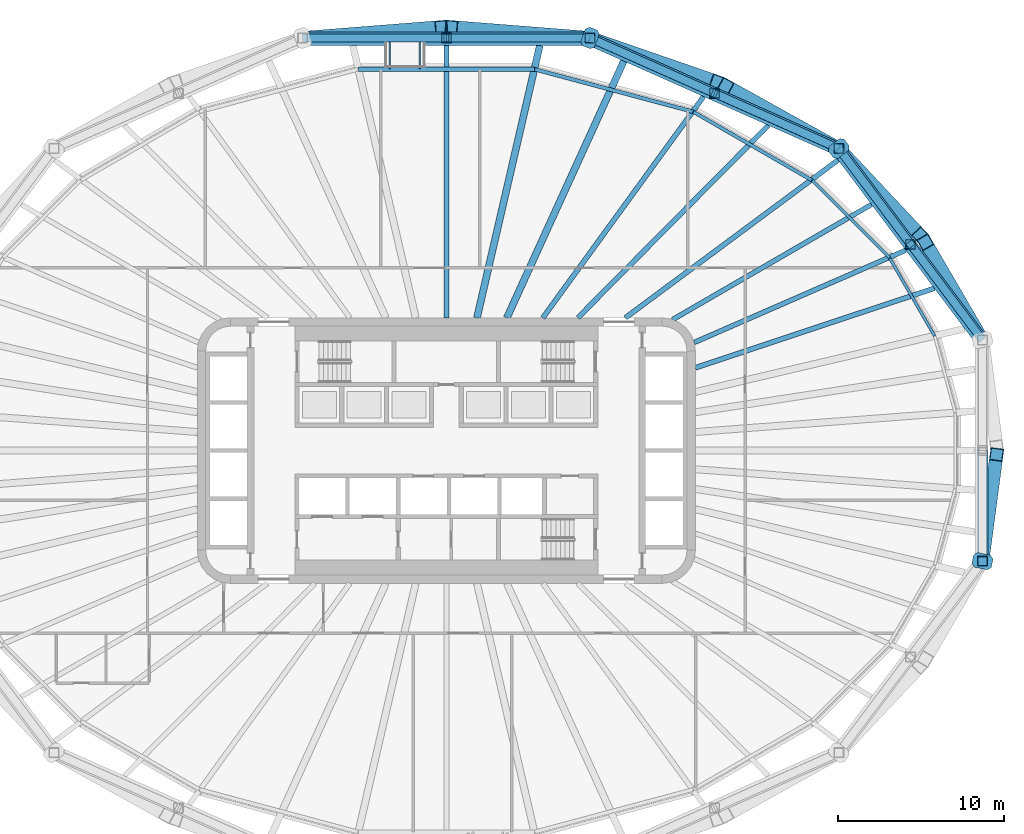
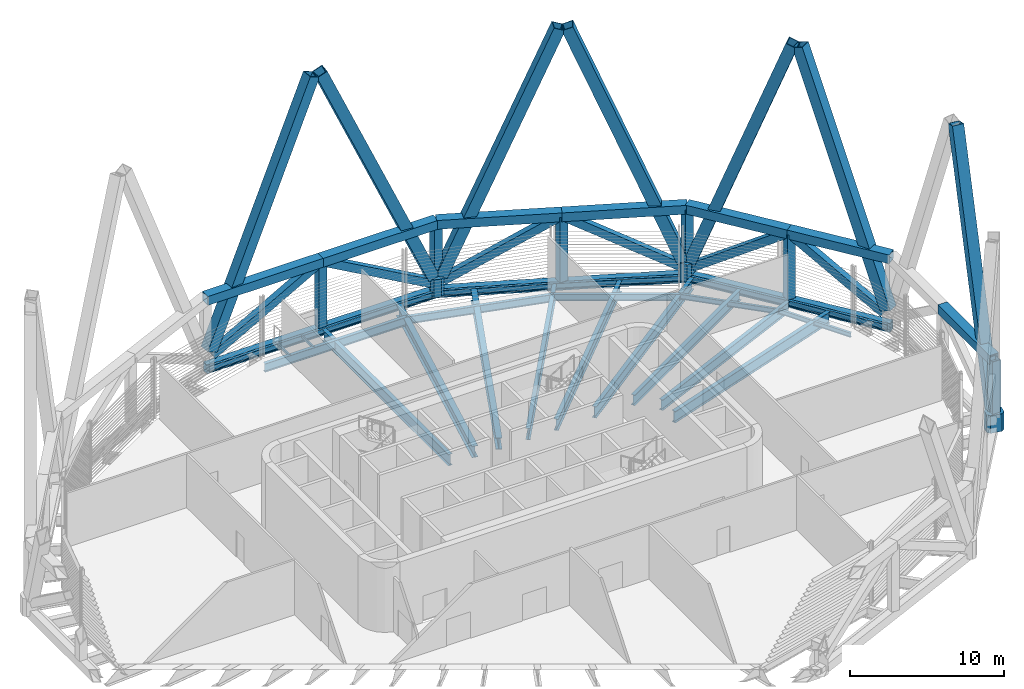
# One storey, part 4 of 18: 29 members, 22 beams.
"""IFC4 building model written with IfcOpenShell, lengths in metres."""

from ifc_helpers import new_model, si_unit, direction, frame, origin, origin_2d, place, context, subcontext, project, spatial, polyline, hollow_rectangle, i_section, outline, extrude, material, material_profile, profile_set, type_object, element, save


model = new_model("IFC4")

# Units and contexts
model_context = context("Model", 3, precision=1e-05, world=origin(), true_north=direction((0.0, 1.0)))
body_context = subcontext(model_context, "Body", "Model", "MODEL_VIEW")
ifc_project = project(units=[si_unit("LENGTHUNIT", "METRE"), si_unit("AREAUNIT", "SQUARE_METRE"), si_unit("VOLUMEUNIT", "CUBIC_METRE"), si_unit("PLANEANGLEUNIT", "RADIAN"), si_unit("MASSUNIT", "GRAM", prefix="KILO")], contexts=[model_context])

# Site, building, storey
site_placement = place(None, origin())
site = spatial("IfcSite", under=ifc_project, at=site_placement, CompositionType="ELEMENT")
building_placement = place(site_placement, origin())
building = spatial("IfcBuilding", under=site, at=building_placement, Name="Sahrelin Media Tower", CompositionType="ELEMENT")
storey_placement = place(building_placement, frame((0.0, 0.0, 197.60009765625)))
storey = spatial("IfcBuildingStorey", under=building, at=storey_placement, Name="L42", CompositionType="ELEMENT", Elevation=197.60009765625)

# Members
ifc_material_1 = material(Name="Steel S460", Category="steel")
ifc_material_profile_1 = material_profile(ifc_material_1, hollow_rectangle(XDim=0.699951171875, YDim=0.699951171875, WallThickness=0.044921875, at=origin_2d()), Name="Belt truss chord BC")
ifc_profile_set_1 = profile_set([ifc_material_profile_1], Name="Steel S460")
member_type_1 = type_object("IfcMemberType", Name="Belt truss chord BC", PredefinedType="CHORD", material=ifc_profile_set_1)
for number, where, z_axis, x_axis, name in (
    (1, (32.288330078125, 6.6591796875, 4.849853515625), (-0.600070438811, 0.799947166046, 0.0), (-0.799947166046, -0.600070438811, 0.0), "Belt truss member BT09-00-T1"),
    (2, (27.96240234375, 12.426025390625, 4.849853515625), (-0.600032510579, 0.799975616034, 0.0), (-0.799975616034, -0.600032510579, 0.0), "Belt truss member BT09-00-T2"),
):
    element("IfcMember", number, at=place(storey_placement, frame(where, z_axis=z_axis, x_axis=x_axis)), inside=storey, type_object=member_type_1, Name=name, PredefinedType="CHORD", context=body_context, shape_type="SweptSolid", body=[
        extrude(hollow_rectangle(XDim=0.699951171875, YDim=0.699951171875, WallThickness=0.044921875, at=origin_2d()), origin(), (0.0, 0.0, 1.0), 7.208984375),
    ])
member_1_placement = place(storey_placement, frame((23.63671875, 18.193115234375, 4.849853515625), z_axis=(-0.913833649239, 0.406088736016, 0.0), x_axis=(-0.406088736016, -0.913833649239, 0.0)))
element("IfcMember", 3, at=member_1_placement, inside=storey, type_object=member_type_1, Name="Belt truss member BT09-01-T1", PredefinedType="CHORD", context=body_context, shape_type="SweptSolid", body=[
    extrude(hollow_rectangle(XDim=0.699951171875, YDim=0.699951171875, WallThickness=0.044921875, at=origin_2d()), origin(), (0.0, 0.0, 1.0), 8.19921875),
])
member_2_placement = place(storey_placement, frame((16.14404296875, 21.522705078125, 4.849853515625), z_axis=(-0.913828738692, 0.406099786187, 0.0), x_axis=(-0.406099786187, -0.913828738692, 0.0)))
element("IfcMember", 4, at=member_2_placement, inside=storey, type_object=member_type_1, Name="Belt truss member BT09-01-T2", PredefinedType="CHORD", context=body_context, shape_type="SweptSolid", body=[
    extrude(hollow_rectangle(XDim=0.699951171875, YDim=0.699951171875, WallThickness=0.044921875, at=origin_2d()), origin(), (0.0, 0.0, 1.0), 8.198974609375),
])
for number, where, z_axis, x_axis, name in (
    (5, (8.651611328125, 24.852294921875, 4.849853515625), (-1.0, 0.0, 0.0), (0.0, -1.0, 0.0), "Belt truss member BT09-02-T1"),
    (6, (0.0, 24.852294921875, 4.849853515625), (-1.0, 0.0, 0.0), (0.0, -1.0, 0.0), "Belt truss member BT09-02-T2"),
):
    element("IfcMember", number, at=place(storey_placement, frame(where, z_axis=z_axis, x_axis=x_axis)), inside=storey, type_object=member_type_1, Name=name, PredefinedType="CHORD", context=body_context, shape_type="SweptSolid", body=[
        extrude(hollow_rectangle(XDim=0.699951171875, YDim=0.699951171875, WallThickness=0.044921875, at=origin_2d()), origin(), (0.0, 0.0, 1.0), 8.651611328125),
    ])
member_3_placement = place(storey_placement, frame((32.288330078125, -6.6591796875, 4.849853515625), z_axis=(0.0, 1.0, 0.0), x_axis=(-1.0, 0.0, 0.0)))
element("IfcMember", 7, at=member_3_placement, inside=storey, type_object=member_type_1, Name="Belt truss member BT09-11-T1", PredefinedType="CHORD", context=body_context, shape_type="SweptSolid", body=[
    extrude(hollow_rectangle(XDim=0.699951171875, YDim=0.699951171875, WallThickness=0.044921875, at=origin_2d()), origin(), (0.0, 0.0, 1.0), 6.6591796875),
])
ifc_material_profile_2 = material_profile(ifc_material_1, hollow_rectangle(XDim=0.5, YDim=0.60009765625, WallThickness=0.030029296875, at=origin_2d()), Name="Belt truss diagonal BD")
ifc_profile_set_2 = profile_set([ifc_material_profile_2], Name="Steel S460")
member_type_2 = type_object("IfcMemberType", Name="Belt truss diagonal BD", PredefinedType="BRACE", material=ifc_profile_set_2)
member_4_placement = place(storey_placement, frame((31.98974609375, 7.056884765625, 0.33447265625), z_axis=(-0.497864181258, 0.663738425935, 0.558195807005), x_axis=(-0.79996507838, -0.600046559338, 0.0)))
element("IfcMember", 8, at=member_4_placement, inside=storey, type_object=member_type_2, Name="Belt truss member BT09-00-X1", PredefinedType="BRACE", context=body_context, shape_type="SweptSolid", body=[
    extrude(hollow_rectangle(XDim=0.5, YDim=0.60009765625, WallThickness=0.030029296875, at=origin_2d()), origin(), (0.0, 0.0, 1.0), 8.08935546875),
])
member_5_placement = place(storey_placement, frame((23.906494140625, 17.8330078125, 0.302734375), z_axis=(0.497883709861, -0.663735058225, 0.558182393075), x_axis=(0.799952318915, 0.600063569519, 0.0)))
element("IfcMember", 9, at=member_5_placement, inside=storey, type_object=member_type_2, Name="Belt truss member BT09-00-X2", PredefinedType="BRACE", context=body_context, shape_type="SweptSolid", body=[
    extrude(hollow_rectangle(XDim=0.5, YDim=0.60009765625, WallThickness=0.030029296875, at=origin_2d()), origin(), (0.0, 0.0, 1.0), 8.146240234375),
])
member_6_placement = place(storey_placement, frame((23.1689453125, 18.40087890625, 0.302734375), z_axis=(-0.786532796821, 0.349530648257, 0.509111466629), x_axis=(-0.406100158654, -0.913828573169, 0.0)))
element("IfcMember", 10, at=member_6_placement, inside=storey, type_object=member_type_2, Name="Belt truss member BT09-01-X1", PredefinedType="BRACE", context=body_context, shape_type="SweptSolid", body=[
    extrude(hollow_rectangle(XDim=0.5, YDim=0.60009765625, WallThickness=0.030029296875, at=origin_2d()), origin(), (0.0, 0.0, 1.0), 8.931396484375),
])
member_7_placement = place(storey_placement, frame((9.064208984375, 24.668701171875, 0.26708984375), z_axis=(0.78653625123, -0.349505366852, 0.509123486045), x_axis=(0.406074139919, 0.913840135302, 0.0)))
element("IfcMember", 11, at=member_7_placement, inside=storey, type_object=member_type_2, Name="Belt truss member BT09-01-X2", PredefinedType="BRACE", context=body_context, shape_type="SweptSolid", body=[
    extrude(hollow_rectangle(XDim=0.5, YDim=0.60009765625, WallThickness=0.030029296875, at=origin_2d()), origin(), (0.0, 0.0, 1.0), 9.001220703125),
])
for number, where, z_axis, x_axis, name in (
    (12, (8.175048828125, 24.852294921875, 0.26708984375), (-0.872290485618, 0.0, 0.488988045559), (0.0, -1.0, 0.0), "Belt truss member BT09-02-X1"),
    (13, (-8.175048828125, 24.852294921875, 0.26708984375), (0.872290485618, 0.0, 0.488988045559), (0.0, 1.0, 0.0), "Belt truss member BT09-02-X2"),
):
    element("IfcMember", number, at=place(storey_placement, frame(where, z_axis=z_axis, x_axis=x_axis)), inside=storey, type_object=member_type_2, Name=name, PredefinedType="BRACE", context=body_context, shape_type="SweptSolid", body=[
        extrude(hollow_rectangle(XDim=0.5, YDim=0.60009765625, WallThickness=0.030029296875, at=origin_2d()), origin(), (0.0, 0.0, 1.0), 9.371826171875),
    ])
ifc_material_profile_3 = material_profile(ifc_material_1, hollow_rectangle(XDim=0.60009765625, YDim=0.60009765625, WallThickness=0.034912109375, at=origin_2d()), Name="Belt truss post BP")
ifc_profile_set_3 = profile_set([ifc_material_profile_3], Name="Steel S460")
member_type_3 = type_object("IfcMemberType", Name="Belt truss post BP", PredefinedType="POST", material=ifc_profile_set_3)
member_8_placement = place(storey_placement, frame((27.96240234375, 12.426025390625, -0.320068359375), z_axis=(0.0, 0.0, 1.0), x_axis=(1.0, 0.0, 0.0)))
element("IfcMember", 14, at=member_8_placement, inside=storey, type_object=member_type_3, Name="Belt truss member BT09-00-P1", PredefinedType="POST", context=body_context, shape_type="SweptSolid", body=[
    extrude(hollow_rectangle(XDim=0.60009765625, YDim=0.60009765625, WallThickness=0.034912109375, at=origin_2d()), origin(), (0.0, 0.0, 1.0), 5.169921875),
])
member_9_placement = place(storey_placement, frame((23.63671875, 18.193115234375, 0.699951171875), z_axis=(0.0, 0.0, 1.0), x_axis=(1.0, 0.0, 0.0)))
element("IfcMember", 15, at=member_9_placement, inside=storey, type_object=member_type_3, Name="Belt truss member BT09-01-P0", PredefinedType="POST", context=body_context, shape_type="SweptSolid", body=[
    extrude(hollow_rectangle(XDim=0.60009765625, YDim=0.60009765625, WallThickness=0.034912109375, at=origin_2d()), origin(), (0.0, 0.0, 1.0), 4.14990234375),
])
member_10_placement = place(storey_placement, frame((16.14404296875, 21.522705078125, -0.320068359375), z_axis=(0.0, 0.0, 1.0), x_axis=(1.0, 0.0, 0.0)))
element("IfcMember", 16, at=member_10_placement, inside=storey, type_object=member_type_3, Name="Belt truss member BT09-01-P1", PredefinedType="POST", context=body_context, shape_type="SweptSolid", body=[
    extrude(hollow_rectangle(XDim=0.60009765625, YDim=0.60009765625, WallThickness=0.034912109375, at=origin_2d()), origin(), (0.0, 0.0, 1.0), 5.169921875),
])
member_11_placement = place(storey_placement, frame((8.651611328125, 24.852294921875, 0.699951171875), z_axis=(0.0, 0.0, 1.0), x_axis=(1.0, 0.0, 0.0)))
element("IfcMember", 17, at=member_11_placement, inside=storey, type_object=member_type_3, Name="Belt truss member BT09-02-P0", PredefinedType="POST", context=body_context, shape_type="SweptSolid", body=[
    extrude(hollow_rectangle(XDim=0.60009765625, YDim=0.60009765625, WallThickness=0.034912109375, at=origin_2d()), origin(), (0.0, 0.0, 1.0), 4.14990234375),
])
member_12_placement = place(storey_placement, frame((0.0, 24.852294921875, -0.320068359375), z_axis=(0.0, 0.0, 1.0), x_axis=(1.0, 0.0, 0.0)))
element("IfcMember", 18, at=member_12_placement, inside=storey, type_object=member_type_3, Name="Belt truss member BT09-02-P1", PredefinedType="POST", context=body_context, shape_type="SweptSolid", body=[
    extrude(hollow_rectangle(XDim=0.60009765625, YDim=0.60009765625, WallThickness=0.034912109375, at=origin_2d()), origin(), (0.0, 0.0, 1.0), 5.169921875),
])
member_13_placement = place(storey_placement, frame((32.288330078125, -6.6591796875, 0.699951171875), z_axis=(0.0, 0.0, 1.0), x_axis=(1.0, 0.0, 0.0)))
element("IfcMember", 19, at=member_13_placement, inside=storey, type_object=member_type_3, Name="Belt truss member BT09-11-P0", PredefinedType="POST", context=body_context, shape_type="SweptSolid", body=[
    extrude(hollow_rectangle(XDim=0.60009765625, YDim=0.60009765625, WallThickness=0.034912109375, at=origin_2d()), origin(), (0.0, 0.0, 1.0), 4.14990234375),
])
ifc_material_profile_4 = material_profile(ifc_material_1, hollow_rectangle(XDim=0.800048828125, YDim=0.800048828125, WallThickness=0.044921875, at=origin_2d()), Name="Diagrid diagonal DG5")
ifc_profile_set_4 = profile_set([ifc_material_profile_4], Name="Steel S460")
member_type_4 = type_object("IfcMemberType", Name="Diagrid diagonal DG5", PredefinedType="BRACE", material=ifc_profile_set_4)
member_14_placement = place(storey_placement, frame((32.163818359375, 6.872802734375, 0.699951171875), z_axis=(-0.16786215952, 0.287905137059, 0.94283239627), x_axis=(-0.863886627627, -0.503686305757, 0.0)))
element("IfcMember", 20, at=member_14_placement, inside=storey, type_object=member_type_4, Name="Diagrid diagonal D09-01", PredefinedType="BRACE", context=body_context, shape_type="SweptSolid", body=[
    extrude(hollow_rectangle(XDim=0.800048828125, YDim=0.800048828125, WallThickness=0.044921875, at=origin_2d()), origin(), (0.0, 0.0, 1.0), 19.7275390625),
])
member_15_placement = place(storey_placement, frame((23.814697265625, 18.003173828125, 0.699951171875), z_axis=(0.238573725504, -0.254320354115, 0.937231953671), x_axis=(0.729324834274, 0.684167586276, 0.0)))
element("IfcMember", 21, at=member_15_placement, inside=storey, type_object=member_type_4, Name="Diagrid diagonal D09-02", PredefinedType="BRACE", context=body_context, shape_type="SweptSolid", body=[
    extrude(hollow_rectangle(XDim=0.800048828125, YDim=0.800048828125, WallThickness=0.044921875, at=origin_2d()), origin(), (0.0, 0.0, 1.0), 19.845458984375),
])
member_16_placement = place(storey_placement, frame((23.389892578125, 18.330078125, 0.699951171875), z_axis=(-0.326945813054, 0.181708248993, 0.927409589973), x_axis=(-0.485789373897, -0.874075903002, 0.0)))
element("IfcMember", 22, at=member_16_placement, inside=storey, type_object=member_type_4, Name="Diagrid diagonal D09-03", PredefinedType="BRACE", context=body_context, shape_type="SweptSolid", body=[
    extrude(hollow_rectangle(XDim=0.800048828125, YDim=0.800048828125, WallThickness=0.044921875, at=origin_2d()), origin(), (0.0, 0.0, 1.0), 20.0556640625),
])
member_17_placement = place(storey_placement, frame((8.92919921875, 24.75634765625, 0.699951171875), z_axis=(0.365804045069, -0.12635634696, 0.922074549152), x_axis=(0.326491805711, 0.945200032165, 0.0)))
element("IfcMember", 23, at=member_17_placement, inside=storey, type_object=member_type_4, Name="Diagrid diagonal D09-04", PredefinedType="BRACE", context=body_context, shape_type="SweptSolid", body=[
    extrude(hollow_rectangle(XDim=0.800048828125, YDim=0.800048828125, WallThickness=0.044921875, at=origin_2d()), origin(), (0.0, 0.0, 1.0), 20.171630859375),
])
for number, where, z_axis, x_axis, name in (
    (24, (8.348876953125, 24.8759765625, 0.699951171875), (-0.396841182378, 0.031186657231, 0.917357328624), (-0.078345692671, -0.996926252257, 0.0), "Diagrid diagonal D09-05"),
    (25, (-8.348876953125, 24.8759765625, 0.699951171875), (0.396841182378, 0.031186657231, 0.917357328624), (-0.078345692671, 0.996926252257, 0.0), "Diagrid diagonal D09-06"),
):
    element("IfcMember", number, at=place(storey_placement, frame(where, z_axis=z_axis, x_axis=x_axis)), inside=storey, type_object=member_type_4, Name=name, PredefinedType="BRACE", context=body_context, shape_type="SweptSolid", body=[
        extrude(hollow_rectangle(XDim=0.800048828125, YDim=0.800048828125, WallThickness=0.044921875, at=origin_2d()), origin(), (0.0, 0.0, 1.0), 20.275390625),
    ])
member_18_placement = place(storey_placement, frame((32.319091796875, -6.426025390625, 0.699951171875), z_axis=(0.041882656654, 0.315625510602, 0.947959060365), x_axis=(-0.991310304721, 0.131544212162, 0.0)))
element("IfcMember", 26, at=member_18_placement, inside=storey, type_object=member_type_4, Name="Diagrid diagonal D09-23", PredefinedType="BRACE", context=body_context, shape_type="SweptSolid", body=[
    extrude(hollow_rectangle(XDim=0.800048828125, YDim=0.800048828125, WallThickness=0.044921875, at=origin_2d()), origin(), (0.0, 0.0, 1.0), 19.620849609375),
])
ifc_material_profile_5 = material_profile(ifc_material_1, outline(polyline([(0.39990234375, -0.449951171875), (0.60009765625, -0.25), (0.60009765625, 0.25), (0.39990234375, 0.449951171875), (-0.39990234375, 0.449951171875), (-0.60009765625, 0.25), (-0.60009765625, -0.25), (-0.39990234375, -0.449951171875), (0.39990234375, -0.449951171875)])), Name="Diagrid node block 1200")
ifc_profile_set_5 = profile_set([ifc_material_profile_5], Name="Steel S460")
member_type_5 = type_object("IfcMemberType", Name="Diagrid node block 1200", PredefinedType="USERDEFINED", material=ifc_profile_set_5)
for number, where, z_axis, x_axis, name in (
    (27, (23.63671875, 18.193115234375, -0.7001953125), (0.0, 0.0, 1.0), (0.792446158195, 0.609941871297, 0.0), "Diagrid node N09-01"),
    (28, (8.651611328125, 24.852294921875, -0.7001953125), (0.0, 0.0, 1.0), (0.328769398381, 0.944410230085, 0.0), "Diagrid node N09-02"),
    (29, (32.288330078125, -6.6591796875, -0.7001953125), (0.0, 0.0, 1.0), (0.979388123462, -0.201987384808, 0.0), "Diagrid node N09-11"),
):
    element("IfcMember", number, at=place(storey_placement, frame(where, z_axis=z_axis, x_axis=x_axis)), inside=storey, type_object=member_type_5, Name=name, ObjectType="NODE", PredefinedType="USERDEFINED", context=body_context, shape_type="SweptSolid", body=[
        extrude(outline(polyline([(0.39990234375, -0.449951171875), (0.60009765625, -0.25), (0.60009765625, 0.25), (0.39990234375, 0.449951171875), (-0.39990234375, 0.449951171875), (-0.60009765625, 0.25), (-0.60009765625, -0.25), (-0.39990234375, -0.449951171875), (0.39990234375, -0.449951171875)])), origin(), (0.0, 0.0, 1.0), 1.400146484375),
    ])

# Beams
ifc_material_profile_6 = material_profile(ifc_material_1, hollow_rectangle(XDim=0.5, YDim=0.699951171875, WallThickness=0.034912109375, at=origin_2d()), Name="Diagrid ring beam RB2")
ifc_profile_set_6 = profile_set([ifc_material_profile_6], Name="Steel S460")
beam_type_1 = type_object("IfcBeamType", Name="Diagrid ring beam RB2", PredefinedType="BEAM", material=ifc_profile_set_6)
beam_1_placement = place(storey_placement, frame((32.288330078125, 6.6591796875, -0.650146484375), z_axis=(-0.600051474799, 0.799961391313, 0.0), x_axis=(-0.799961391313, -0.600051474799, 0.0)))
element("IfcBeam", 30, at=beam_1_placement, inside=storey, type_object=beam_type_1, Name="Diagrid ring beam RB09-00", PredefinedType="BEAM", context=body_context, shape_type="SweptSolid", body=[
    extrude(hollow_rectangle(XDim=0.5, YDim=0.699951171875, WallThickness=0.034912109375, at=origin_2d()), origin(), (0.0, 0.0, 1.0), 14.418212890625),
])
beam_2_placement = place(storey_placement, frame((23.63671875, 18.193115234375, -0.650146484375), z_axis=(-0.913831194015, 0.406094261033, 0.0), x_axis=(-0.406094261033, -0.913831194015, 0.0)))
element("IfcBeam", 31, at=beam_2_placement, inside=storey, type_object=beam_type_1, Name="Diagrid ring beam RB09-01", PredefinedType="BEAM", context=body_context, shape_type="SweptSolid", body=[
    extrude(hollow_rectangle(XDim=0.5, YDim=0.699951171875, WallThickness=0.034912109375, at=origin_2d()), origin(), (0.0, 0.0, 1.0), 16.398193359375),
])
beam_3_placement = place(storey_placement, frame((8.651611328125, 24.852294921875, -0.650146484375), z_axis=(-1.0, 0.0, 0.0), x_axis=(0.0, -1.0, 0.0)))
element("IfcBeam", 32, at=beam_3_placement, inside=storey, type_object=beam_type_1, Name="Diagrid ring beam RB09-02", PredefinedType="BEAM", context=body_context, shape_type="SweptSolid", body=[
    extrude(hollow_rectangle(XDim=0.5, YDim=0.699951171875, WallThickness=0.034912109375, at=origin_2d()), origin(), (0.0, 0.0, 1.0), 17.30322265625),
])
ifc_material_2 = material(Name="Steel S355", Category="steel")
ifc_material_profile_7 = material_profile(ifc_material_2, i_section(OverallWidth=0.17138671875, OverallDepth=0.35498046875, WebThickness=0.00732421875, FlangeThickness=0.011474609375, FilletRadius=0.01025390625, at=origin_2d()), Name="UB 356x171x51")
ifc_profile_set_7 = profile_set([ifc_material_profile_7], Name="Steel S355")
beam_type_2 = type_object("IfcBeamType", Name="Edge beam EB3", PredefinedType="BEAM", material=ifc_profile_set_7)
beam_4_placement = place(storey_placement, frame((26.701904296875, 11.592041015625, -0.4775390625), z_axis=(0.499973789888, -0.866040535671, 0.0), x_axis=(0.866040535671, 0.499973789888, 0.0)))
element("IfcBeam", 33, at=beam_4_placement, inside=storey, type_object=beam_type_2, Name="Edge beam L42-23", PredefinedType="BEAM", context=body_context, shape_type="SweptSolid", body=[
    extrude(i_section(OverallWidth=0.17138671875, OverallDepth=0.35498046875, WebThickness=0.00732421875, FlangeThickness=0.011474609375, FilletRadius=0.01025390625, at=origin_2d()), origin(), (0.0, 0.0, 1.0), 5.409423828125),
])
ifc_material_profile_8 = material_profile(ifc_material_2, i_section(OverallWidth=0.177978515625, OverallDepth=0.406494140625, WebThickness=0.0078125, FlangeThickness=0.0126953125, FilletRadius=0.01025390625, at=origin_2d()), Name="UB 406x178x60")
ifc_profile_set_8 = profile_set([ifc_material_profile_8], Name="Steel S355")
beam_type_3 = type_object("IfcBeamType", Name="Edge beam EB4", PredefinedType="BEAM", material=ifc_profile_set_8)
beam_5_placement = place(storey_placement, frame((22.02734375, 16.271728515625, -0.50341796875), z_axis=(0.707125316339, -0.707088245549, 0.0), x_axis=(0.707088245549, 0.707125316339, 0.0)))
element("IfcBeam", 34, at=beam_5_placement, inside=storey, type_object=beam_type_3, Name="Edge beam L42-22", PredefinedType="BEAM", context=body_context, shape_type="SweptSolid", body=[
    extrude(i_section(OverallWidth=0.177978515625, OverallDepth=0.406494140625, WebThickness=0.0078125, FlangeThickness=0.0126953125, FilletRadius=0.01025390625, at=origin_2d()), origin(), (0.0, 0.0, 1.0), 6.585693359375),
])
ifc_material_profile_9 = material_profile(ifc_material_2, i_section(OverallWidth=0.208740234375, OverallDepth=0.5283203125, WebThickness=0.009521484375, FlangeThickness=0.01318359375, FilletRadius=0.0126953125, at=origin_2d()), Name="UB 533x210x82")
ifc_profile_set_9 = profile_set([ifc_material_profile_9], Name="Steel S355")
beam_type_4 = type_object("IfcBeamType", Name="Edge beam EB6", PredefinedType="BEAM", material=ifc_profile_set_9)
beam_6_placement = place(storey_placement, frame((14.883056640625, 20.40087890625, -0.564208984375), z_axis=(0.866021932652, -0.500006012129, 0.0), x_axis=(0.500006012129, 0.866021932652, 0.0)))
element("IfcBeam", 35, at=beam_6_placement, inside=storey, type_object=beam_type_4, Name="Edge beam L42-21", PredefinedType="BEAM", context=body_context, shape_type="SweptSolid", body=[
    extrude(i_section(OverallWidth=0.208740234375, OverallDepth=0.5283203125, WebThickness=0.009521484375, FlangeThickness=0.01318359375, FilletRadius=0.0126953125, at=origin_2d()), origin(), (0.0, 0.0, 1.0), 8.22314453125),
])
ifc_material_profile_10 = material_profile(ifc_material_2, i_section(OverallWidth=0.2275390625, OverallDepth=0.6025390625, WebThickness=0.010498046875, FlangeThickness=0.014892578125, FilletRadius=0.0126953125, at=origin_2d()), Name="UB 610x229x101")
ifc_profile_set_10 = profile_set([ifc_material_profile_10], Name="Steel S355")
beam_type_5 = type_object("IfcBeamType", Name="Edge beam EB7", PredefinedType="BEAM", material=ifc_profile_set_10)
beam_7_placement = place(storey_placement, frame((5.32666015625, 22.96533203125, -0.601318359375), z_axis=(0.9659328091, -0.258792983491, 0.0), x_axis=(0.258792983491, 0.9659328091, 0.0)))
element("IfcBeam", 36, at=beam_7_placement, inside=storey, type_object=beam_type_5, Name="Edge beam L42-20", PredefinedType="BEAM", context=body_context, shape_type="SweptSolid", body=[
    extrude(i_section(OverallWidth=0.2275390625, OverallDepth=0.6025390625, WebThickness=0.010498046875, FlangeThickness=0.014892578125, FilletRadius=0.0126953125, at=origin_2d()), origin(), (0.0, 0.0, 1.0), 9.865966796875),
])
ifc_material_profile_11 = material_profile(ifc_material_2, i_section(OverallWidth=0.2529296875, OverallDepth=0.677978515625, WebThickness=0.01171875, FlangeThickness=0.01611328125, FilletRadius=0.01513671875, at=origin_2d()), Name="UB 686x254x125")
ifc_profile_set_11 = profile_set([ifc_material_profile_11], Name="Steel S355")
beam_type_6 = type_object("IfcBeamType", Name="Edge beam EB8", PredefinedType="BEAM", material=ifc_profile_set_11)
beam_8_placement = place(storey_placement, frame((-5.298095703125, 22.96923828125, -0.63916015625), z_axis=(1.0, 0.0, 0.0), x_axis=(0.0, 1.0, 0.0)))
element("IfcBeam", 37, at=beam_8_placement, inside=storey, type_object=beam_type_6, Name="Edge beam L42-19", PredefinedType="BEAM", context=body_context, shape_type="SweptSolid", body=[
    extrude(i_section(OverallWidth=0.2529296875, OverallDepth=0.677978515625, WebThickness=0.01171875, FlangeThickness=0.01611328125, FilletRadius=0.01513671875, at=origin_2d()), origin(), (0.0, 0.0, 1.0), 10.59619140625),
])
ifc_material_profile_12 = material_profile(ifc_material_2, hollow_rectangle(XDim=0.10009765625, YDim=0.199951171875, WallThickness=0.008056640625, at=origin_2d()), Name="RHS 200x100x8")
ifc_profile_set_12 = profile_set([ifc_material_profile_12], Name="Steel S355")
beam_type_7 = type_object("IfcBeamType", Name="Platform support beam", PredefinedType="BEAM", material=ifc_profile_set_12)
for number, where, z_axis, x_axis, name in (
    (38, (-1.60009765625, 22.97509765625, -0.400146484375), (0.0, 1.0, 0.0), (-1.0, 0.0, 0.0), "Platform support beam L42-06"),
    (39, (-3.39990234375, 22.97509765625, -0.400146484375), (0.0, 1.0, 0.0), (-1.0, 0.0, 0.0), "Platform support beam L42-06"),
):
    element("IfcBeam", number, at=place(storey_placement, frame(where, z_axis=z_axis, x_axis=x_axis)), inside=storey, type_object=beam_type_7, Name=name, PredefinedType="BEAM", context=body_context, shape_type="SweptSolid", body=[
        extrude(hollow_rectangle(XDim=0.10009765625, YDim=0.199951171875, WallThickness=0.008056640625, at=origin_2d()), origin(), (0.0, 0.0, 1.0), 1.627197265625),
    ])
ifc_material_profile_13 = material_profile(ifc_material_2, i_section(OverallWidth=0.291748046875, OverallDepth=0.8349609375, WebThickness=0.013916015625, FlangeThickness=0.018798828125, FilletRadius=0.017822265625, at=origin_2d()), Name="UB 838x292x176")
ifc_profile_set_13 = profile_set([ifc_material_profile_13], Name="Steel S355")
beam_type_8 = type_object("IfcBeamType", Name="Radial primary beam PB10", PredefinedType="BEAM", material=ifc_profile_set_13)
beam_9_placement = place(storey_placement, frame((14.932373046875, 6.513671875, -0.717529296875), z_axis=(0.916592987985, 0.399821578178, 0.0), x_axis=(-0.399821578178, 0.916592987985, 0.0)))
element("IfcBeam", 40, at=beam_9_placement, inside=storey, type_object=beam_type_8, Name="Radial beam L42-03", PredefinedType="BEAM", context=body_context, shape_type="SweptSolid", body=[
    extrude(i_section(OverallWidth=0.291748046875, OverallDepth=0.8349609375, WebThickness=0.013916015625, FlangeThickness=0.018798828125, FilletRadius=0.017822265625, at=origin_2d()), origin(), (0.0, 0.0, 1.0), 13.89892578125),
])
ifc_material_profile_14 = material_profile(ifc_material_2, i_section(OverallWidth=0.30322265625, OverallDepth=0.903076171875, WebThickness=0.01513671875, FlangeThickness=0.020263671875, FilletRadius=0.01904296875, at=origin_2d()), Name="UB 914x305x201")
ifc_profile_set_14 = profile_set([ifc_material_profile_14], Name="Steel S355")
beam_type_9 = type_object("IfcBeamType", Name="Radial primary beam PB11", PredefinedType="BEAM", material=ifc_profile_set_14)
beam_10_placement = place(storey_placement, frame((10.78369140625, 8.0, -0.751708984375), z_axis=(0.803127556371, 0.595807123319, 0.0), x_axis=(-0.595807123319, 0.803127556371, 0.0)))
element("IfcBeam", 41, at=beam_10_placement, inside=storey, type_object=beam_type_9, Name="Radial beam L42-04", PredefinedType="BEAM", context=body_context, shape_type="SweptSolid", body=[
    extrude(i_section(OverallWidth=0.30322265625, OverallDepth=0.903076171875, WebThickness=0.01513671875, FlangeThickness=0.020263671875, FilletRadius=0.01904296875, at=origin_2d()), origin(), (0.0, 0.0, 1.0), 15.952880859375),
])
beam_11_placement = place(storey_placement, frame((5.81201171875, 8.0, -0.751708984375), z_axis=(0.58777324028, 0.809025721477, 0.0), x_axis=(-0.809025721477, 0.58777324028, 0.0)))
element("IfcBeam", 42, at=beam_11_placement, inside=storey, type_object=beam_type_9, Name="Radial beam L42-05", PredefinedType="BEAM", context=body_context, shape_type="SweptSolid", body=[
    extrude(i_section(OverallWidth=0.30322265625, OverallDepth=0.903076171875, WebThickness=0.01513671875, FlangeThickness=0.020263671875, FilletRadius=0.01904296875, at=origin_2d()), origin(), (0.0, 0.0, 1.0), 16.469970703125),
])
ifc_material_profile_15 = material_profile(ifc_material_2, i_section(OverallWidth=0.41845703125, OverallDepth=0.911865234375, WebThickness=0.019287109375, FlangeThickness=0.031982421875, FilletRadius=0.024169921875, at=origin_2d()), Name="UB 914x419x343")
ifc_profile_set_15 = profile_set([ifc_material_profile_15], Name="Steel S355")
beam_type_10 = type_object("IfcBeamType", Name="Radial primary beam PB12", PredefinedType="BEAM", material=ifc_profile_set_15)
beam_12_placement = place(storey_placement, frame((1.84521484375, 8.0, -0.756103515625), z_axis=(0.224747253769, 0.974417093407, 0.0), x_axis=(-0.974417093407, 0.224747253769, 0.0)))
element("IfcBeam", 43, at=beam_12_placement, inside=storey, type_object=beam_type_10, Name="Radial beam L42-06", PredefinedType="BEAM", context=body_context, shape_type="SweptSolid", body=[
    extrude(i_section(OverallWidth=0.41845703125, OverallDepth=0.911865234375, WebThickness=0.019287109375, FlangeThickness=0.031982421875, FilletRadius=0.024169921875, at=origin_2d()), origin(), (0.0, 0.0, 1.0), 16.83740234375),
])
ifc_material_profile_16 = material_profile(ifc_material_2, i_section(OverallWidth=0.291748046875, OverallDepth=0.8349609375, WebThickness=0.013916015625, FlangeThickness=0.018798828125, FilletRadius=0.017822265625, at=origin_2d()), Name="UB 838x292x176")
ifc_profile_set_16 = profile_set([ifc_material_profile_16], Name="Steel S355")
beam_type_11 = type_object("IfcBeamType", Name="Radial secondary beam SB10", PredefinedType="BEAM", material=ifc_profile_set_16)
beam_13_placement = place(storey_placement, frame((13.624267578125, 7.8876953125, -0.717529296875), z_axis=(0.865415419841, 0.501055037996, 0.0), x_axis=(-0.501055037996, 0.865415419841, 0.0)))
element("IfcBeam", 44, at=beam_13_placement, inside=storey, type_object=beam_type_11, Name="Secondary beam L42-03", PredefinedType="BEAM", context=body_context, shape_type="SweptSolid", body=[
    extrude(i_section(OverallWidth=0.291748046875, OverallDepth=0.8349609375, WebThickness=0.013916015625, FlangeThickness=0.018798828125, FilletRadius=0.017822265625, at=origin_2d()), origin(), (0.0, 0.0, 1.0), 13.84521484375),
])
ifc_material_profile_17 = material_profile(ifc_material_2, i_section(OverallWidth=0.30322265625, OverallDepth=0.903076171875, WebThickness=0.01513671875, FlangeThickness=0.020263671875, FilletRadius=0.01904296875, at=origin_2d()), Name="UB 914x305x201")
ifc_profile_set_17 = profile_set([ifc_material_profile_17], Name="Steel S355")
beam_type_12 = type_object("IfcBeamType", Name="Radial secondary beam SB11", PredefinedType="BEAM", material=ifc_profile_set_17)
beam_14_placement = place(storey_placement, frame((15.0, 4.990478515625, -0.751708984375), z_axis=(0.948856999938, 0.315706182499, 0.0), x_axis=(-0.315706182499, 0.948856999938, 0.0)))
element("IfcBeam", 45, at=beam_14_placement, inside=storey, type_object=beam_type_12, Name="Secondary beam L42-02", PredefinedType="BEAM", context=body_context, shape_type="SweptSolid", body=[
    extrude(i_section(OverallWidth=0.30322265625, OverallDepth=0.903076171875, WebThickness=0.01513671875, FlangeThickness=0.020263671875, FilletRadius=0.01904296875, at=origin_2d()), origin(), (0.0, 0.0, 1.0), 15.1669921875),
])
beam_15_placement = place(storey_placement, frame((7.920654296875, 8.0, -0.751708984375), z_axis=(0.703572795113, 0.710623192681, 0.0), x_axis=(-0.710623192681, 0.703572795113, 0.0)))
element("IfcBeam", 46, at=beam_15_placement, inside=storey, type_object=beam_type_12, Name="Secondary beam L42-04", PredefinedType="BEAM", context=body_context, shape_type="SweptSolid", body=[
    extrude(i_section(OverallWidth=0.30322265625, OverallDepth=0.903076171875, WebThickness=0.01513671875, FlangeThickness=0.020263671875, FilletRadius=0.01904296875, at=origin_2d()), origin(), (0.0, 0.0, 1.0), 16.309814453125),
])
beam_16_placement = place(storey_placement, frame((0.0, 8.0, -0.751708984375), z_axis=(0.0, 1.0, 0.0), x_axis=(-1.0, 0.0, 0.0)))
element("IfcBeam", 47, at=beam_16_placement, inside=storey, type_object=beam_type_12, Name="Secondary beam L42-06", PredefinedType="BEAM", context=body_context, shape_type="SweptSolid", body=[
    extrude(i_section(OverallWidth=0.30322265625, OverallDepth=0.903076171875, WebThickness=0.01513671875, FlangeThickness=0.020263671875, FilletRadius=0.01904296875, at=origin_2d()), origin(), (0.0, 0.0, 1.0), 16.40673828125),
])
ifc_material_profile_18 = material_profile(ifc_material_2, i_section(OverallWidth=0.41845703125, OverallDepth=0.911865234375, WebThickness=0.019287109375, FlangeThickness=0.031982421875, FilletRadius=0.024169921875, at=origin_2d()), Name="UB 914x419x343")
ifc_profile_set_18 = profile_set([ifc_material_profile_18], Name="Steel S355")
beam_type_13 = type_object("IfcBeamType", Name="Radial secondary beam SB12", PredefinedType="BEAM", material=ifc_profile_set_18)
beam_17_placement = place(storey_placement, frame((3.644775390625, 8.0, -0.756103515625), z_axis=(0.414586695092, 0.910009819866, 0.0), x_axis=(-0.910009819866, 0.414586695092, 0.0)))
element("IfcBeam", 48, at=beam_17_placement, inside=storey, type_object=beam_type_13, Name="Secondary beam L42-05", PredefinedType="BEAM", context=body_context, shape_type="SweptSolid", body=[
    extrude(i_section(OverallWidth=0.41845703125, OverallDepth=0.911865234375, WebThickness=0.019287109375, FlangeThickness=0.031982421875, FilletRadius=0.024169921875, at=origin_2d()), origin(), (0.0, 0.0, 1.0), 16.988525390625),
])
ifc_material_profile_19 = material_profile(ifc_material_2, i_section(OverallWidth=0.1904296875, OverallDepth=0.45703125, WebThickness=0.009033203125, FlangeThickness=0.014404296875, FilletRadius=0.01025390625, at=origin_2d()), Name="UB 457x191x74")
ifc_profile_set_19 = profile_set([ifc_material_profile_19], Name="Steel S355")
beam_type_14 = type_object("IfcBeamType", Name="Tie chord TC5", PredefinedType="BEAM", material=ifc_profile_set_19)
beam_18_placement = place(storey_placement, frame((-8.577392578125, 24.501953125, -0.528564453125), z_axis=(1.0, 0.0, 0.0), x_axis=(0.0, 1.0, 0.0)))
element("IfcBeam", 49, at=beam_18_placement, inside=storey, type_object=beam_type_14, Name="Tie chord L42-10", PredefinedType="BEAM", context=body_context, shape_type="SweptSolid", body=[
    extrude(i_section(OverallWidth=0.1904296875, OverallDepth=0.45703125, WebThickness=0.009033203125, FlangeThickness=0.014404296875, FilletRadius=0.01025390625, at=origin_2d()), origin(), (0.0, 0.0, 1.0), 17.15478515625),
])
beam_19_placement = place(storey_placement, frame((8.577392578125, 24.501953125, -0.528564453125), z_axis=(0.913828293648, -0.406100787649, 0.0), x_axis=(0.406100787649, 0.913828293648, 0.0)))
element("IfcBeam", 50, at=beam_19_placement, inside=storey, type_object=beam_type_14, Name="Tie chord L42-11", PredefinedType="BEAM", context=body_context, shape_type="SweptSolid", body=[
    extrude(i_section(OverallWidth=0.1904296875, OverallDepth=0.45703125, WebThickness=0.009033203125, FlangeThickness=0.014404296875, FilletRadius=0.01025390625, at=origin_2d()), origin(), (0.0, 0.0, 1.0), 16.232421875),
])
beam_20_placement = place(storey_placement, frame((23.4111328125, 17.909912109375, -0.528564453125), z_axis=(0.600057726032, -0.799956702221, 0.0), x_axis=(0.799956702221, 0.600057726032, 0.0)))
element("IfcBeam", 51, at=beam_20_placement, inside=storey, type_object=beam_type_14, Name="Tie chord L42-12", PredefinedType="BEAM", context=body_context, shape_type="SweptSolid", body=[
    extrude(i_section(OverallWidth=0.1904296875, OverallDepth=0.45703125, WebThickness=0.009033203125, FlangeThickness=0.014404296875, FilletRadius=0.01025390625, at=origin_2d()), origin(), (0.0, 0.0, 1.0), 14.2099609375),
])

save(model, "model.ifc")
